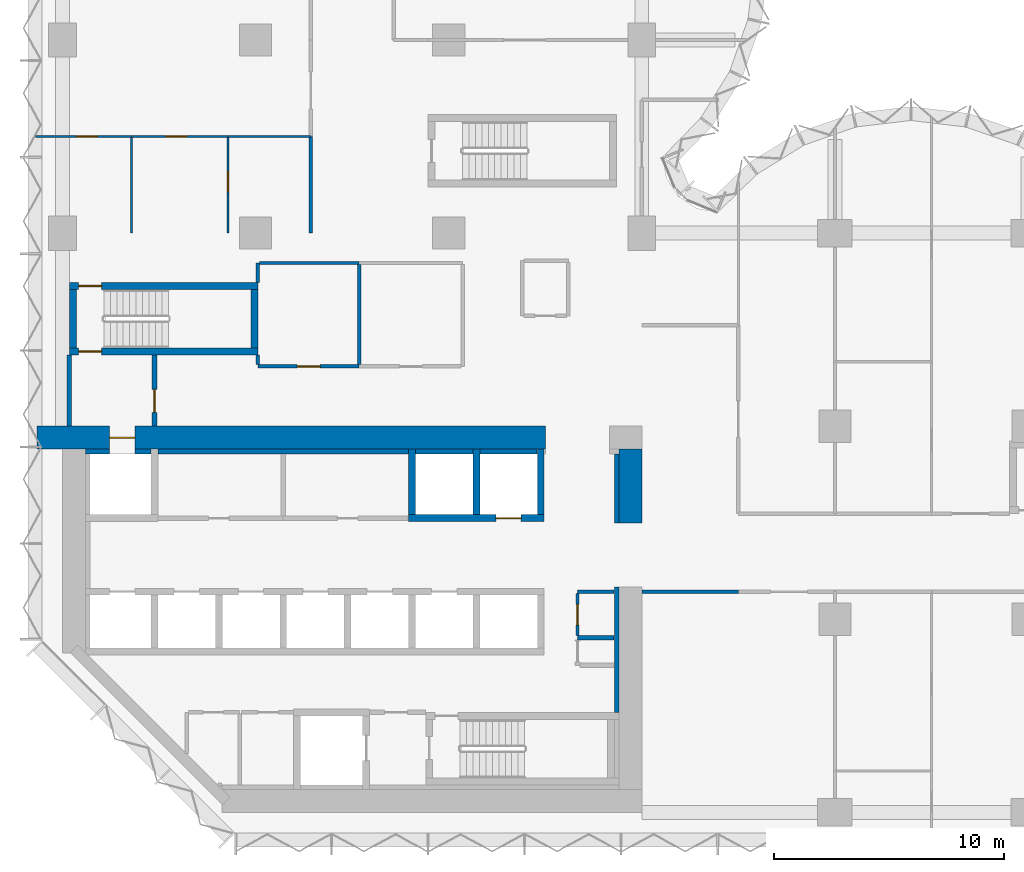
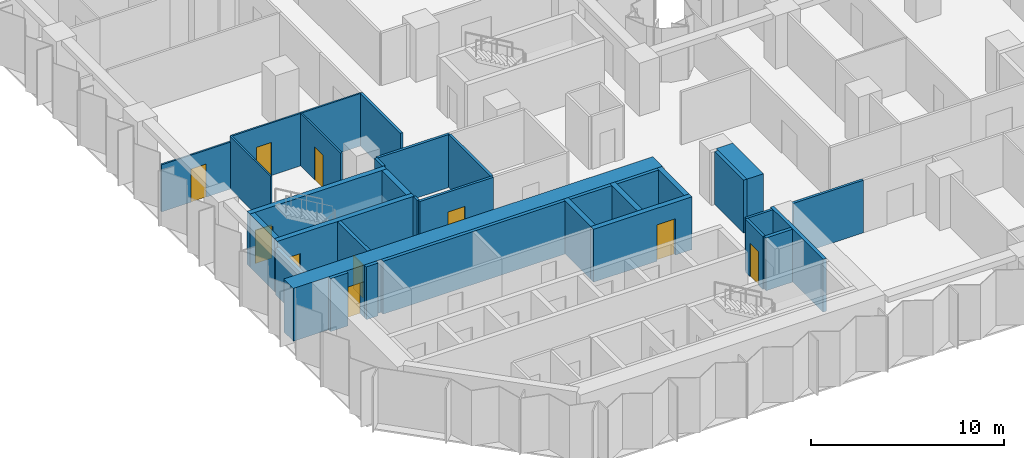
# One storey, part 8 of 15: 34 walls, 10 doors, 10 openings.
"""IFC4 building model written with IfcOpenShell, lengths in metres."""

from ifc_helpers import new_model, si_unit, direction, frame, frame_2d, origin, place, context, subcontext, project, spatial, rectangle, extrude, material, layer, layer_set, type_object, element, fill, save


model = new_model("IFC4")

# Units and contexts
model_context = context("Model", 3, precision=1e-05, world=origin(), true_north=direction((0.0, 1.0)))
body_context = subcontext(model_context, "Body", "Model", "MODEL_VIEW")
ifc_project = project(units=[si_unit("LENGTHUNIT", "METRE"), si_unit("AREAUNIT", "SQUARE_METRE"), si_unit("VOLUMEUNIT", "CUBIC_METRE"), si_unit("PLANEANGLEUNIT", "RADIAN"), si_unit("MASSUNIT", "GRAM", prefix="KILO")], contexts=[model_context])

# Site, building, storey
site_placement = place(None, origin())
site = spatial("IfcSite", under=ifc_project, at=site_placement, CompositionType="ELEMENT")
building_placement = place(site_placement, origin())
building = spatial("IfcBuilding", under=site, at=building_placement, Name="Brevane Broadcast Tower", CompositionType="ELEMENT")
storey_placement = place(building_placement, frame((0.0, 0.0, 43.699951171875)))
storey = spatial("IfcBuildingStorey", under=building, at=storey_placement, Name="L08", CompositionType="ELEMENT", Elevation=43.699951171875)

# Walls
ifc_material_1 = material(Name="Concrete C32/40", Category="concrete")
ifc_layer_1 = layer(ifc_material_1, 0.199951171875)
ifc_layer_set_1 = layer_set([ifc_layer_1], Name="Core chase wall 200 mm")
wall_type_1 = type_object("IfcWallType", Name="Core chase wall 200 mm", PredefinedType="PARTITIONING", material=ifc_layer_set_1)
wall_1_placement = place(storey_placement, frame((24.10009765625, 12.60009765625, 0.0), z_axis=(0.0, 0.0, 1.0), x_axis=(0.0, 1.0, 0.0)))
element("IfcWall", 1, at=wall_1_placement, inside=storey, type_object=wall_type_1, Name="L08 chase wall LE2", PredefinedType="PARTITIONING", context=body_context, shape_type="SweptSolid", body=[
    extrude(rectangle(XDim=3.0, YDim=0.199951171875, at=frame_2d((1.5, 0.0))), origin(), (0.0, 0.0, 1.0), 3.35009765625),
])
wall_2_placement = place(storey_placement, frame((1.0, 15.699951171875, 0.0), z_axis=(0.0, 0.0, 1.0), x_axis=(1.0, 0.0, 0.0)))
element("IfcWall", 2, at=wall_2_placement, inside=storey, type_object=wall_type_1, Name="L08 chase wall LN0", PredefinedType="PARTITIONING", context=body_context, shape_type="SweptSolid", body=[
    extrude(rectangle(XDim=1.050048828125, YDim=0.199951171875, at=frame_2d((0.52490234375, 0.0))), origin(), (0.0, 0.0, 1.0), 3.35009765625),
])
wall_3_placement = place(storey_placement, frame((3.14990234375, 15.699951171875, 0.0), z_axis=(0.0, 0.0, 1.0), x_axis=(1.0, 0.0, 0.0)))
element("IfcWall", 3, at=wall_3_placement, inside=storey, type_object=wall_type_1, Name="L08 chase wall LN1-1", PredefinedType="PARTITIONING", context=body_context, shape_type="SweptSolid", body=[
    extrude(rectangle(XDim=0.7001953125, YDim=0.199951171875, at=frame_2d((0.35009765625, 0.0))), origin(), (0.0, 0.0, 1.0), 3.35009765625),
])
wall_4_placement = place(storey_placement, frame((4.14990234375, 15.699951171875, 0.0), z_axis=(0.0, 0.0, 1.0), x_axis=(1.0, 0.0, 0.0)))
element("IfcWall", 4, at=wall_4_placement, inside=storey, type_object=wall_type_1, Name="L08 chase wall LN1-2-1", PredefinedType="PARTITIONING", context=body_context, shape_type="SweptSolid", body=[
    extrude(rectangle(XDim=10.900146484375, YDim=0.199951171875, at=frame_2d((5.4501953125, 0.0))), origin(), (0.0, 0.0, 1.0), 3.35009765625),
])
for number, where, z_axis, x_axis, name in (
    (5, (15.35009765625, 15.699951171875, 0.0), (0.0, 0.0, 1.0), (1.0, 0.0, 0.0), "L08 chase wall LN1-2-2-1"),
    (6, (18.14990234375, 15.699951171875, 0.0), (0.0, 0.0, 1.0), (1.0, 0.0, 0.0), "L08 chase wall LN1-2-2-2-1"),
):
    element("IfcWall", number, at=place(storey_placement, frame(where, z_axis=z_axis, x_axis=x_axis)), inside=storey, type_object=wall_type_1, Name=name, PredefinedType="PARTITIONING", context=body_context, shape_type="SweptSolid", body=[
        extrude(rectangle(XDim=2.5, YDim=0.199951171875, at=frame_2d((1.25, 0.0))), origin(), (0.0, 0.0, 1.0), 3.35009765625),
    ])
wall_5_placement = place(storey_placement, frame((24.10009765625, 4.35009765625, 0.0), z_axis=(0.0, 0.0, 1.0), x_axis=(0.0, 1.0, 0.0)))
element("IfcWall", 7, at=wall_5_placement, inside=storey, type_object=wall_type_1, Name="L08 chase wall LE1-2-2", PredefinedType="PARTITIONING", context=body_context, shape_type="SweptSolid", body=[
    extrude(rectangle(XDim=5.449951171875, YDim=0.199951171875, at=frame_2d((2.72509765625, 0.0))), origin(), (0.0, 0.0, 1.0), 3.35009765625),
])

# Wall, opening, door
ifc_material_2 = material(Name="Gypsum board on steel studs", Category="steel")
ifc_layer_2 = layer(ifc_material_2, 0.14990234375)
ifc_layer_set_2 = layer_set([ifc_layer_2], Name="Core fire partition 150 mm")
wall_type_2 = type_object("IfcWallType", Name="Core fire partition 150 mm", PredefinedType="PARTITIONING", material=ifc_layer_set_2)
wall_6_placement = place(storey_placement, frame((12.89990234375, 19.39990234375, 0.0), z_axis=(0.0, 0.0, 1.0), x_axis=(-1.0, 0.0, 0.0)))
wall_6 = element("IfcWall", 8, at=wall_6_placement, inside=storey, type_object=wall_type_2, Name="L08 partition wall P15", PredefinedType="PARTITIONING", context=body_context, shape_type="SweptSolid", body=[
    extrude(rectangle(XDim=4.39990234375, YDim=0.14990234375, at=frame_2d((2.199951171875, 0.0))), origin(), (0.0, 0.0, 1.0), 3.35009765625),
])
opening_1_placement = place(wall_6_placement, frame((1.699951171875, 0.0, 0.0)))
opening_1 = element("IfcOpeningElement", 9, at=opening_1_placement, cuts=wall_6, Name="Opening L08-K25", PredefinedType="OPENING", context=body_context, shape_type="SweptSolid", body=[
    extrude(rectangle(XDim=1.0, YDim=2.10009765625, at=frame_2d((0.5, 1.050048828125))), frame((0.0, 0.0849609375, 0.0), z_axis=(0.0, -1.0, 0.0), x_axis=(1.0, 0.0, 0.0)), (0.0, 0.0, 1.0), 0.169921875),
])
ifc_material_3 = material(Name="Steel", Category="steel")
door_type_1 = type_object("IfcDoorType", Name="Service room door 1000 x 2100", OperationType="SINGLE_SWING_LEFT", PredefinedType="DOOR", material=ifc_material_3)
door_1_placement = place(opening_1_placement, origin())
door_1 = element("IfcDoor", 10, at=door_1_placement, inside=storey, type_object=door_type_1, Name="Door L08-K25", OperationType="SINGLE_SWING_LEFT", OverallHeight=2.10009765625, OverallWidth=1.0, PredefinedType="DOOR", context=body_context, shape_type="SweptSolid", body=[
    extrude(rectangle(XDim=1.0, YDim=2.10009765625, at=frame_2d((0.5, 1.050048828125))), frame((0.0, 0.02490234375, 0.0), z_axis=(0.0, -1.0, 0.0), x_axis=(1.0, 0.0, 0.0)), (0.0, 0.0, 1.0), 0.050048828125),
])
fill(opening_1, door_1)

# Walls
wall_7_placement = place(storey_placement, frame((8.5, 19.47509765625, 0.0), z_axis=(0.0, 0.0, 1.0), x_axis=(0.0, 1.0, 0.0)))
element("IfcWall", 11, at=wall_7_placement, inside=storey, type_object=wall_type_2, Name="L08 partition wall P16", PredefinedType="PARTITIONING", context=body_context, shape_type="SweptSolid", body=[
    extrude(rectangle(XDim=0.412841796875, YDim=0.14990234375, at=frame_2d((0.20654296875, 0.0))), origin(), (0.0, 0.0, 1.0), 3.35009765625),
])
wall_8_placement = place(storey_placement, frame((8.5, 23.06201171875, 0.0), z_axis=(0.0, 0.0, 1.0), x_axis=(0.0, 1.0, 0.0)))
element("IfcWall", 12, at=wall_8_placement, inside=storey, type_object=wall_type_2, Name="L08 partition wall P17", PredefinedType="PARTITIONING", context=body_context, shape_type="SweptSolid", body=[
    extrude(rectangle(XDim=0.837890625, YDim=0.14990234375, at=frame_2d((0.4189453125, 0.0))), origin(), (0.0, 0.0, 1.0), 3.35009765625),
])
wall_9_placement = place(storey_placement, frame((8.574951171875, 23.89990234375, 0.0), z_axis=(0.0, 0.0, 1.0), x_axis=(1.0, 0.0, 0.0)))
element("IfcWall", 13, at=wall_9_placement, inside=storey, type_object=wall_type_2, Name="L08 partition wall P18", PredefinedType="PARTITIONING", context=body_context, shape_type="SweptSolid", body=[
    extrude(rectangle(XDim=4.324951171875, YDim=0.14990234375, at=frame_2d((2.16259765625, 0.0))), origin(), (0.0, 0.0, 1.0), 3.35009765625),
])
wall_10_placement = place(storey_placement, frame((12.89990234375, 23.824951171875, 0.0), z_axis=(0.0, 0.0, 1.0), x_axis=(0.0, -1.0, 0.0)))
element("IfcWall", 14, at=wall_10_placement, inside=storey, type_object=wall_type_2, Name="L08 partition wall P22", PredefinedType="PARTITIONING", context=body_context, shape_type="SweptSolid", body=[
    extrude(rectangle(XDim=4.349853515625, YDim=0.14990234375, at=frame_2d((2.1748046875, 0.0))), origin(), (0.0, 0.0, 1.0), 3.35009765625),
])
wall_11_placement = place(storey_placement, frame((23.988037109375, 9.60009765625, 0.0), z_axis=(0.0, 0.0, 1.0), x_axis=(-1.0, 0.0, 0.0)))
element("IfcWall", 15, at=wall_11_placement, inside=storey, type_object=wall_type_2, Name="L08 partition wall P23", PredefinedType="PARTITIONING", context=body_context, shape_type="SweptSolid", body=[
    extrude(rectangle(XDim=1.588134765625, YDim=0.14990234375, at=frame_2d((0.7939453125, 0.0))), origin(), (0.0, 0.0, 1.0), 3.35009765625),
])

# Wall, opening, door
wall_12_placement = place(storey_placement, frame((22.39990234375, 9.52490234375, 0.0), z_axis=(0.0, 0.0, 1.0), x_axis=(0.0, -1.0, 0.0)))
wall_12 = element("IfcWall", 16, at=wall_12_placement, inside=storey, type_object=wall_type_2, Name="L08 partition wall P24", PredefinedType="PARTITIONING", context=body_context, shape_type="SweptSolid", body=[
    extrude(rectangle(XDim=1.824951171875, YDim=0.14990234375, at=frame_2d((0.91259765625, 0.0))), origin(), (0.0, 0.0, 1.0), 3.35009765625),
])
opening_2_placement = place(wall_12_placement, frame((0.47509765625, 0.0, 0.0)))
opening_2 = element("IfcOpeningElement", 17, at=opening_2_placement, cuts=wall_12, Name="Opening L08-K20", PredefinedType="OPENING", context=body_context, shape_type="SweptSolid", body=[
    extrude(rectangle(XDim=0.89990234375, YDim=2.10009765625, at=frame_2d((0.449951171875, 1.050048828125))), frame((0.0, 0.0849609375, 0.0), z_axis=(0.0, -1.0, 0.0), x_axis=(1.0, 0.0, 0.0)), (0.0, 0.0, 1.0), 0.169921875),
])
door_type_2 = type_object("IfcDoorType", Name="Service room door 900 x 2100", OperationType="SINGLE_SWING_LEFT", PredefinedType="DOOR", material=ifc_material_3)
door_2_placement = place(opening_2_placement, origin())
door_2 = element("IfcDoor", 18, at=door_2_placement, inside=storey, type_object=door_type_2, Name="Door L08-K20", OperationType="SINGLE_SWING_RIGHT", OverallHeight=2.10009765625, OverallWidth=0.89990234375, PredefinedType="DOOR", context=body_context, shape_type="SweptSolid", body=[
    extrude(rectangle(XDim=0.89990234375, YDim=2.10009765625, at=frame_2d((0.449951171875, 1.050048828125))), frame((0.0, 0.02490234375, 0.0), z_axis=(0.0, -1.0, 0.0), x_axis=(1.0, 0.0, 0.0)), (0.0, 0.0, 1.0), 0.050048828125),
])
fill(opening_2, door_2)

# Wall
ifc_layer_3 = layer(ifc_material_2, 0.199951171875)
ifc_layer_set_3 = layer_set([ifc_layer_3], Name="Core fire partition 200 mm")
wall_type_3 = type_object("IfcWallType", Name="Core fire partition 200 mm", PredefinedType="PARTITIONING", material=ifc_layer_set_3)
wall_13_placement = place(storey_placement, frame((0.300048828125, 16.81201171875, 0.0), z_axis=(0.0, 0.0, 1.0), x_axis=(0.0, 1.0, 0.0)))
element("IfcWall", 19, at=wall_13_placement, inside=storey, type_object=wall_type_3, Name="L08 partition wall P01", PredefinedType="PARTITIONING", context=body_context, shape_type="SweptSolid", body=[
    extrude(rectangle(XDim=3.075927734375, YDim=0.199951171875, at=frame_2d((1.5380859375, 0.0))), origin(), (0.0, 0.0, 1.0), 2.97998046875),
])

# Wall, opening, door
wall_14_placement = place(storey_placement, frame((4.0, 19.887939453125, 0.0), z_axis=(0.0, 0.0, 1.0), x_axis=(0.0, -1.0, 0.0)))
wall_14 = element("IfcWall", 20, at=wall_14_placement, inside=storey, type_object=wall_type_3, Name="L08 partition wall P02", PredefinedType="PARTITIONING", context=body_context, shape_type="SweptSolid", body=[
    extrude(rectangle(XDim=3.075927734375, YDim=0.199951171875, at=frame_2d((1.5380859375, 0.0))), origin(), (0.0, 0.0, 1.0), 3.35009765625),
])
opening_3_placement = place(wall_14_placement, frame((1.488037109375, 0.0, 0.0)))
opening_3 = element("IfcOpeningElement", 21, at=opening_3_placement, cuts=wall_14, Name="Opening L08-K23", PredefinedType="OPENING", context=body_context, shape_type="SweptSolid", body=[
    extrude(rectangle(XDim=1.0, YDim=2.10009765625, at=frame_2d((0.5, 1.050048828125))), frame((0.0, 0.10986328125, 0.0), z_axis=(0.0, -1.0, 0.0), x_axis=(1.0, 0.0, 0.0)), (0.0, 0.0, 1.0), 0.219970703125),
])
door_type_3 = type_object("IfcDoorType", Name="Stair door 1000 x 2100", OperationType="SINGLE_SWING_LEFT", PredefinedType="DOOR", material=ifc_material_3)
door_3_placement = place(opening_3_placement, origin())
door_3 = element("IfcDoor", 22, at=door_3_placement, inside=storey, type_object=door_type_3, Name="Door L08-K23", OperationType="SINGLE_SWING_LEFT", OverallHeight=2.10009765625, OverallWidth=1.0, PredefinedType="DOOR", context=body_context, shape_type="SweptSolid", body=[
    extrude(rectangle(XDim=1.0, YDim=2.10009765625, at=frame_2d((0.5, 1.050048828125))), frame((0.0, 0.02490234375, 0.0), z_axis=(0.0, -1.0, 0.0), x_axis=(1.0, 0.0, 0.0)), (0.0, 0.0, 1.0), 0.050048828125),
])
fill(opening_3, door_3)

# Wall
wall_15_placement = place(storey_placement, frame((23.988037109375, 7.60009765625, 0.0), z_axis=(0.0, 0.0, 1.0), x_axis=(-1.0, 0.0, 0.0)))
element("IfcWall", 23, at=wall_15_placement, inside=storey, type_object=wall_type_3, Name="L08 partition wall P07", PredefinedType="PARTITIONING", context=body_context, shape_type="SweptSolid", body=[
    extrude(rectangle(XDim=1.588134765625, YDim=0.199951171875, at=frame_2d((0.7939453125, 0.0))), origin(), (0.0, 0.0, 1.0), 3.35009765625),
])

# Wall, opening, door
ifc_material_4 = material(Name="Concrete C80/95", Category="concrete")
ifc_layer_4 = layer(ifc_material_4, 1.0)
ifc_layer_set_4 = layer_set([ifc_layer_4], Name="Core wall 1000 mm C80/95")
wall_type_4 = type_object("IfcWallType", Name="Core wall 1000 mm C80/95", PredefinedType="SHEAR", material=ifc_layer_set_4)
wall_16_placement = place(storey_placement, frame((-1.10009765625, 16.300048828125, 0.0), z_axis=(0.0, 0.0, 1.0), x_axis=(1.0, 0.0, 0.0)))
wall_16 = element("IfcWall", 24, at=wall_16_placement, inside=storey, type_object=wall_type_4, Name="L08 outer wall WN1", PredefinedType="SHEAR", context=body_context, shape_type="SweptSolid", body=[
    extrude(rectangle(XDim=22.10009765625, YDim=1.0, at=frame_2d((11.050048828125, 0.0))), origin(), (0.0, 0.0, 1.0), 3.35009765625),
])
opening_4_placement = place(wall_16_placement, frame((3.14990234375, 0.0, 0.0)))
opening_4 = element("IfcOpeningElement", 25, at=opening_4_placement, cuts=wall_16, Name="Opening LD", PredefinedType="OPENING", context=body_context, shape_type="SweptSolid", body=[
    extrude(rectangle(XDim=1.10009765625, YDim=2.300048828125, at=frame_2d((0.550048828125, 1.14990234375))), frame((0.0, 0.510009765625, 0.0), z_axis=(0.0, -1.0, 0.0), x_axis=(1.0, 0.0, 0.0)), (0.0, 0.0, 1.0), 1.02001953125),
])
ifc_material_5 = material(Name="Stainless steel", Category="steel")
door_type_4 = type_object("IfcDoorType", Name="Lift landing door", OperationType="SLIDING_TO_LEFT", PredefinedType="DOOR", material=ifc_material_5)
door_4_placement = place(opening_4_placement, origin())
door_4 = element("IfcDoor", 26, at=door_4_placement, inside=storey, type_object=door_type_4, Name="Landing door FF1 L08", OperationType="SLIDING_TO_LEFT", OverallHeight=2.300048828125, OverallWidth=1.10009765625, PredefinedType="DOOR", context=body_context, shape_type="SweptSolid", body=[
    extrude(rectangle(XDim=1.10009765625, YDim=2.300048828125, at=frame_2d((0.550048828125, 1.14990234375))), frame((0.0, 0.02490234375, 0.0), z_axis=(0.0, -1.0, 0.0), x_axis=(1.0, 0.0, 0.0)), (0.0, 0.0, 1.0), 0.050048828125),
])
fill(opening_4, door_4)

# Wall
wall_17_placement = place(storey_placement, frame((24.699951171875, 12.60009765625, 0.0), z_axis=(0.0, 0.0, 1.0), x_axis=(0.0, 1.0, 0.0)))
element("IfcWall", 27, at=wall_17_placement, inside=storey, type_object=wall_type_4, Name="L08 outer wall WE2", PredefinedType="SHEAR", context=body_context, shape_type="SweptSolid", body=[
    extrude(rectangle(XDim=3.199951171875, YDim=1.0, at=frame_2d((1.60009765625, 0.0))), origin(), (0.0, 0.0, 1.0), 3.35009765625),
])

# Wall, opening, door
ifc_layer_5 = layer(ifc_material_4, 0.300048828125)
ifc_layer_set_5 = layer_set([ifc_layer_5], Name="Core wall 300 mm C80/95")
wall_type_5 = type_object("IfcWallType", Name="Core wall 300 mm C80/95", PredefinedType="SHEAR", material=ifc_layer_set_5)
wall_18_placement = place(storey_placement, frame((15.050048828125, 12.800048828125, 0.0), z_axis=(0.0, 0.0, 1.0), x_axis=(1.0, 0.0, 0.0)))
wall_18 = element("IfcWall", 28, at=wall_18_placement, inside=storey, type_object=wall_type_5, Name="L08 shaft wall SH-N152-front", PredefinedType="SHEAR", context=body_context, shape_type="SweptSolid", body=[
    extrude(rectangle(XDim=5.89990234375, YDim=0.300048828125, at=frame_2d((2.949951171875, 0.0))), origin(), (0.0, 0.0, 1.0), 3.35009765625),
])
opening_5_placement = place(wall_18_placement, frame((3.800048828125, 0.0, 0.0)))
opening_5 = element("IfcOpeningElement", 29, at=opening_5_placement, cuts=wall_18, Name="Opening LD", PredefinedType="OPENING", context=body_context, shape_type="SweptSolid", body=[
    extrude(rectangle(XDim=1.10009765625, YDim=2.300048828125, at=frame_2d((0.550048828125, 1.14990234375))), frame((0.0, 0.159912109375, 0.0), z_axis=(0.0, -1.0, 0.0), x_axis=(1.0, 0.0, 0.0)), (0.0, 0.0, 1.0), 0.320068359375),
])
door_5_placement = place(opening_5_placement, origin())
door_5 = element("IfcDoor", 30, at=door_5_placement, inside=storey, type_object=door_type_4, Name="Landing door SL1 L08", OperationType="SLIDING_TO_LEFT", OverallHeight=2.300048828125, OverallWidth=1.10009765625, PredefinedType="DOOR", context=body_context, shape_type="SweptSolid", body=[
    extrude(rectangle(XDim=1.10009765625, YDim=2.300048828125, at=frame_2d((0.550048828125, 1.14990234375))), frame((0.0, 0.02490234375, 0.0), z_axis=(0.0, -1.0, 0.0), x_axis=(1.0, 0.0, 0.0)), (0.0, 0.0, 1.0), 0.050048828125),
])
fill(opening_5, door_5)

# Walls
for number, where, z_axis, x_axis, name in (
    (31, (15.199951171875, 12.949951171875, 0.0), (0.0, 0.0, 1.0), (0.0, 1.0, 0.0), "L08 shaft wall SH-N-P152"),
    (32, (18.0, 12.949951171875, 0.0), (0.0, 0.0, 1.0), (0.0, 1.0, 0.0), "L08 shaft wall SH-N-P180"),
    (33, (20.800048828125, 12.949951171875, 0.0), (0.0, 0.0, 1.0), (0.0, 1.0, 0.0), "L08 shaft wall SH-N-P208"),
):
    element("IfcWall", number, at=place(storey_placement, frame(where, z_axis=z_axis, x_axis=x_axis)), inside=storey, type_object=wall_type_5, Name=name, PredefinedType="SHEAR", context=body_context, shape_type="SweptSolid", body=[
        extrude(rectangle(XDim=2.85009765625, YDim=0.300048828125, at=frame_2d((1.425048828125, 0.0))), origin(), (0.0, 0.0, 1.0), 3.35009765625),
    ])

# Wall, opening, door
wall_19_placement = place(storey_placement, frame((8.5, 20.050048828125, 0.0), z_axis=(0.0, 0.0, 1.0), x_axis=(-1.0, 0.0, 0.0)))
wall_19 = element("IfcWall", 34, at=wall_19_placement, inside=storey, type_object=wall_type_5, Name="L08 stair wall ST-1-S", PredefinedType="SHEAR", context=body_context, shape_type="SweptSolid", body=[
    extrude(rectangle(XDim=8.199951171875, YDim=0.300048828125, at=frame_2d((4.10009765625, 0.0))), origin(), (0.0, 0.0, 1.0), 3.35009765625),
])
opening_6_placement = place(wall_19_placement, frame((6.800048828125, 0.0, 0.0)))
opening_6 = element("IfcOpeningElement", 35, at=opening_6_placement, cuts=wall_19, Name="Opening L08-K10", PredefinedType="OPENING", context=body_context, shape_type="SweptSolid", body=[
    extrude(rectangle(XDim=1.0, YDim=2.10009765625, at=frame_2d((0.5, 1.050048828125))), frame((0.0, 0.159912109375, 0.0), z_axis=(0.0, -1.0, 0.0), x_axis=(1.0, 0.0, 0.0)), (0.0, 0.0, 1.0), 0.320068359375),
])
door_6_placement = place(opening_6_placement, origin())
door_6 = element("IfcDoor", 36, at=door_6_placement, inside=storey, type_object=door_type_3, Name="Door L08-K10", OperationType="SINGLE_SWING_RIGHT", OverallHeight=2.10009765625, OverallWidth=1.0, PredefinedType="DOOR", context=body_context, shape_type="SweptSolid", body=[
    extrude(rectangle(XDim=1.0, YDim=2.10009765625, at=frame_2d((0.5, 1.050048828125))), frame((0.0, 0.02490234375, 0.0), z_axis=(0.0, -1.0, 0.0), x_axis=(1.0, 0.0, 0.0)), (0.0, 0.0, 1.0), 0.050048828125),
])
fill(opening_6, door_6)

wall_20_placement = place(storey_placement, frame((0.300048828125, 22.89990234375, 0.0), z_axis=(0.0, 0.0, 1.0), x_axis=(1.0, 0.0, 0.0)))
wall_20 = element("IfcWall", 37, at=wall_20_placement, inside=storey, type_object=wall_type_5, Name="L08 stair wall ST-1-N", PredefinedType="SHEAR", context=body_context, shape_type="SweptSolid", body=[
    extrude(rectangle(XDim=8.199951171875, YDim=0.300048828125, at=frame_2d((4.10009765625, 0.0))), origin(), (0.0, 0.0, 1.0), 3.35009765625),
])
opening_7_placement = place(wall_20_placement, frame((0.39990234375, 0.0, 0.0)))
opening_7 = element("IfcOpeningElement", 38, at=opening_7_placement, cuts=wall_20, Name="Opening L08-K11", PredefinedType="OPENING", context=body_context, shape_type="SweptSolid", body=[
    extrude(rectangle(XDim=1.0, YDim=2.10009765625, at=frame_2d((0.5, 1.050048828125))), frame((0.0, 0.159912109375, 0.0), z_axis=(0.0, -1.0, 0.0), x_axis=(1.0, 0.0, 0.0)), (0.0, 0.0, 1.0), 0.320068359375),
])
door_7_placement = place(opening_7_placement, origin())
door_7 = element("IfcDoor", 39, at=door_7_placement, inside=storey, type_object=door_type_3, Name="Door L08-K11", OperationType="SINGLE_SWING_LEFT", OverallHeight=2.10009765625, OverallWidth=1.0, PredefinedType="DOOR", context=body_context, shape_type="SweptSolid", body=[
    extrude(rectangle(XDim=1.0, YDim=2.10009765625, at=frame_2d((0.5, 1.050048828125))), frame((0.0, 0.02490234375, 0.0), z_axis=(0.0, -1.0, 0.0), x_axis=(1.0, 0.0, 0.0)), (0.0, 0.0, 1.0), 0.050048828125),
])
fill(opening_7, door_7)

# Walls
for number, where, z_axis, x_axis, name in (
    (40, (0.449951171875, 20.199951171875, 0.0), (0.0, 0.0, 1.0), (0.0, 1.0, 0.0), "L08 stair wall ST-1-W"),
    (41, (8.35009765625, 20.199951171875, 0.0), (0.0, 0.0, 1.0), (0.0, 1.0, 0.0), "L08 stair wall ST-1-E"),
):
    element("IfcWall", number, at=place(storey_placement, frame(where, z_axis=z_axis, x_axis=x_axis)), inside=storey, type_object=wall_type_5, Name=name, PredefinedType="SHEAR", context=body_context, shape_type="SweptSolid", body=[
        extrude(rectangle(XDim=2.550048828125, YDim=0.300048828125, at=frame_2d((1.27490234375, 0.0))), origin(), (0.0, 0.0, 1.0), 3.35009765625),
    ])

# Wall, opening, door
ifc_material_6 = material(Name="Gypsum board partition")
ifc_layer_6 = layer(ifc_material_6, 0.10009765625)
ifc_layer_set_6 = layer_set([ifc_layer_6], Name="PARTITION 100 STUD")
wall_type_6 = type_object("IfcWallType", Name="PARTITION 100 STUD", PredefinedType="PARTITIONING", material=ifc_layer_set_6)
wall_21_placement = place(storey_placement, frame((3.0, 29.39990234375, 0.0), z_axis=(0.0, 0.0, 1.0), x_axis=(-1.0, 0.0, 0.0)))
wall_21 = element("IfcWall", 42, at=wall_21_placement, inside=storey, type_object=wall_type_6, Name="Partition G01-072", PredefinedType="PARTITIONING", context=body_context, shape_type="SweptSolid", body=[
    extrude(rectangle(XDim=4.174072265625, YDim=0.10009765625, at=frame_2d((2.0869140625, 0.0))), origin(), (0.0, 0.0, 1.0), 2.97998046875),
])
opening_8_placement = place(wall_21_placement, frame((1.5, 0.0, 0.0)))
opening_8 = element("IfcOpeningElement", 43, at=opening_8_placement, cuts=wall_21, Name="Opening D07-022", PredefinedType="OPENING", context=body_context, shape_type="SweptSolid", body=[
    extrude(rectangle(XDim=0.89990234375, YDim=2.10009765625, at=frame_2d((0.449951171875, 1.050048828125))), frame((0.0, 0.06005859375, 0.0), z_axis=(0.0, -1.0, 0.0), x_axis=(1.0, 0.0, 0.0)), (0.0, 0.0, 1.0), 0.1201171875),
])
ifc_material_7 = material(Name="Timber door leaf", Category="wood")
door_type_5 = type_object("IfcDoorType", Name="DOOR SINGLE 900 INTERNAL", OperationType="SINGLE_SWING_LEFT", PredefinedType="DOOR", material=ifc_material_7)
door_8_placement = place(opening_8_placement, origin())
door_8 = element("IfcDoor", 44, at=door_8_placement, inside=storey, type_object=door_type_5, Name="Door D07-022", OperationType="SINGLE_SWING_LEFT", OverallHeight=2.10009765625, OverallWidth=0.89990234375, PredefinedType="DOOR", context=body_context, shape_type="SweptSolid", body=[
    extrude(rectangle(XDim=0.89990234375, YDim=2.10009765625, at=frame_2d((0.449951171875, 1.050048828125))), frame((0.0, 0.02490234375, 0.0), z_axis=(0.0, -1.0, 0.0), x_axis=(1.0, 0.0, 0.0)), (0.0, 0.0, 1.0), 0.050048828125),
])
fill(opening_8, door_8)

wall_22_placement = place(storey_placement, frame((7.199951171875, 29.39990234375, 0.0), z_axis=(0.0, 0.0, 1.0), x_axis=(-1.0, 0.0, 0.0)))
wall_22 = element("IfcWall", 45, at=wall_22_placement, inside=storey, type_object=wall_type_6, Name="Partition G01-073", PredefinedType="PARTITIONING", context=body_context, shape_type="SweptSolid", body=[
    extrude(rectangle(XDim=4.199951171875, YDim=0.10009765625, at=frame_2d((2.10009765625, 0.0))), origin(), (0.0, 0.0, 1.0), 3.330078125),
])
opening_9_placement = place(wall_22_placement, frame((1.800048828125, 0.0, 0.0)))
opening_9 = element("IfcOpeningElement", 46, at=opening_9_placement, cuts=wall_22, Name="Opening D07-023", PredefinedType="OPENING", context=body_context, shape_type="SweptSolid", body=[
    extrude(rectangle(XDim=0.89990234375, YDim=2.10009765625, at=frame_2d((0.449951171875, 1.050048828125))), frame((0.0, 0.06005859375, 0.0), z_axis=(0.0, -1.0, 0.0), x_axis=(1.0, 0.0, 0.0)), (0.0, 0.0, 1.0), 0.1201171875),
])
door_9_placement = place(opening_9_placement, origin())
door_9 = element("IfcDoor", 47, at=door_9_placement, inside=storey, type_object=door_type_5, Name="Door D07-023", OperationType="SINGLE_SWING_LEFT", OverallHeight=2.10009765625, OverallWidth=0.89990234375, PredefinedType="DOOR", context=body_context, shape_type="SweptSolid", body=[
    extrude(rectangle(XDim=0.89990234375, YDim=2.10009765625, at=frame_2d((0.449951171875, 1.050048828125))), frame((0.0, 0.02490234375, 0.0), z_axis=(0.0, -1.0, 0.0), x_axis=(1.0, 0.0, 0.0)), (0.0, 0.0, 1.0), 0.050048828125),
])
fill(opening_9, door_9)

# Walls
wall_23_placement = place(storey_placement, frame((10.800048828125, 29.39990234375, 0.0), z_axis=(0.0, 0.0, 1.0), x_axis=(-1.0, 0.0, 0.0)))
element("IfcWall", 48, at=wall_23_placement, inside=storey, type_object=wall_type_6, Name="Partition G01-074", PredefinedType="PARTITIONING", context=body_context, shape_type="SweptSolid", body=[
    extrude(rectangle(XDim=3.60009765625, YDim=0.10009765625, at=frame_2d((1.800048828125, 0.0))), origin(), (0.0, 0.0, 1.0), 3.330078125),
])
wall_24_placement = place(storey_placement, frame((3.0, 29.39990234375, 0.0), z_axis=(0.0, 0.0, 1.0), x_axis=(0.0, -1.0, 0.0)))
element("IfcWall", 49, at=wall_24_placement, inside=storey, type_object=wall_type_6, Name="Partition G01-076", PredefinedType="PARTITIONING", context=body_context, shape_type="SweptSolid", body=[
    extrude(rectangle(XDim=4.199951171875, YDim=0.10009765625, at=frame_2d((2.10009765625, 0.0))), origin(), (0.0, 0.0, 1.0), 3.330078125),
])

# Wall, opening, door
wall_25_placement = place(storey_placement, frame((7.199951171875, 29.39990234375, 0.0), z_axis=(0.0, 0.0, 1.0), x_axis=(0.0, -1.0, 0.0)))
wall_25 = element("IfcWall", 50, at=wall_25_placement, inside=storey, type_object=wall_type_6, Name="Partition G01-077", PredefinedType="PARTITIONING", context=body_context, shape_type="SweptSolid", body=[
    extrude(rectangle(XDim=4.199951171875, YDim=0.10009765625, at=frame_2d((2.10009765625, 0.0))), origin(), (0.0, 0.0, 1.0), 3.330078125),
])
opening_10_placement = place(wall_25_placement, frame((1.5, 0.0, 0.0)))
opening_10 = element("IfcOpeningElement", 51, at=opening_10_placement, cuts=wall_25, Name="Opening D07-024", PredefinedType="OPENING", context=body_context, shape_type="SweptSolid", body=[
    extrude(rectangle(XDim=0.89990234375, YDim=2.10009765625, at=frame_2d((0.449951171875, 1.050048828125))), frame((0.0, 0.06005859375, 0.0), z_axis=(0.0, -1.0, 0.0), x_axis=(1.0, 0.0, 0.0)), (0.0, 0.0, 1.0), 0.1201171875),
])
door_10_placement = place(opening_10_placement, origin())
door_10 = element("IfcDoor", 52, at=door_10_placement, inside=storey, type_object=door_type_5, Name="Door D07-024", OperationType="SINGLE_SWING_LEFT", OverallHeight=2.10009765625, OverallWidth=0.89990234375, PredefinedType="DOOR", context=body_context, shape_type="SweptSolid", body=[
    extrude(rectangle(XDim=0.89990234375, YDim=2.10009765625, at=frame_2d((0.449951171875, 1.050048828125))), frame((0.0, 0.02490234375, 0.0), z_axis=(0.0, -1.0, 0.0), x_axis=(1.0, 0.0, 0.0)), (0.0, 0.0, 1.0), 0.050048828125),
])
fill(opening_10, door_10)

# Walls
ifc_layer_7 = layer(ifc_material_6, 0.14990234375)
ifc_layer_set_7 = layer_set([ifc_layer_7], Name="PARTITION 150 EI 60")
wall_type_7 = type_object("IfcWallType", Name="PARTITION 150 EI 60", PredefinedType="PARTITIONING", material=ifc_layer_set_7)
for number, where, z_axis, x_axis, name in (
    (53, (29.39990234375, 9.60009765625, 0.0), (0.0, 0.0, 1.0), (-1.0, 0.0, 0.0), "Partition G01-002"),
    (54, (10.800048828125, 25.199951171875, 0.0), (0.0, 0.0, 1.0), (0.0, 1.0, 0.0), "Partition G01-054"),
):
    element("IfcWall", number, at=place(storey_placement, frame(where, z_axis=z_axis, x_axis=x_axis)), inside=storey, type_object=wall_type_7, Name=name, PredefinedType="PARTITIONING", context=body_context, shape_type="SweptSolid", body=[
        extrude(rectangle(XDim=4.199951171875, YDim=0.14990234375, at=frame_2d((2.10009765625, 0.0))), origin(), (0.0, 0.0, 1.0), 3.330078125),
    ])

save(model, "model.ifc")
